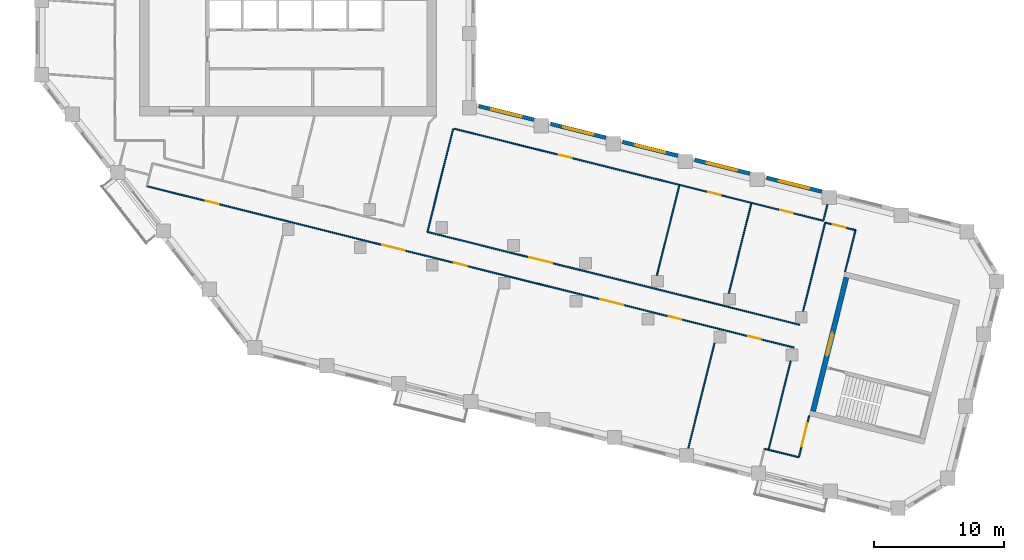
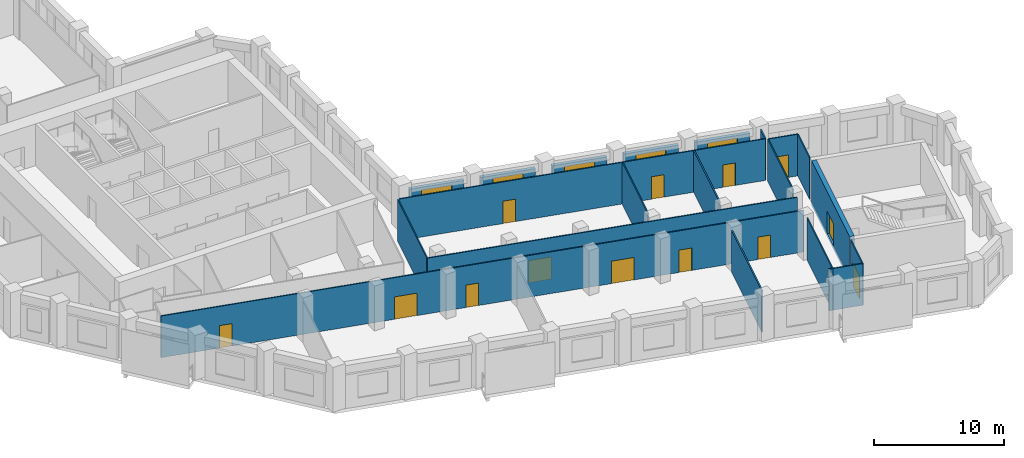
# One storey, part 4 of 10: 21 walls, 13 doors, 5 windows, 18 openings.
"""IFC4 building model written with IfcOpenShell, lengths in metres."""

import ifcopenshell
import ifcopenshell.guid

model = None  # the IFC model being written
_history = None  # IfcOwnerHistory: only IFC2X3 demands one
_inside = {}  # id of a spatial element -> (the spatial element, [elements in it])
_under = {}  # id of a project, library or spatial element -> (it, [spatial elements below it])
_declared = {}  # id of a project -> (the project, [libraries it declares])
_typed = {}  # id of a type object -> (the type object, [elements of that type])
_made_of = {}  # id of a material, layer set ... -> (it, [elements and type objects made of it])


def new_model(schema):
    """Start an empty IFC model of exactly this schema.

    Asked for "IFC4X3", IfcOpenShell would pick the latest addendum, in which some entities
    have other attributes; the version numbers below select the first issue.
    IFC2X3 requires an IfcOwnerHistory on every rooted entity: one is made here for all.
    """
    global model, _history
    if schema == "IFC4X3":
        model = ifcopenshell.file(schema_version=(4, 3, 0, 0))
    else:
        model = ifcopenshell.file(schema=schema)
    _inside.clear()
    _under.clear()
    _declared.clear()
    _typed.clear()
    _made_of.clear()
    _history = None
    if model.schema == "IFC2X3":
        org = make("IfcOrganization", Name="unknown")
        user = make(
            "IfcPersonAndOrganization",
            ThePerson=make("IfcPerson", FamilyName="unknown"),
            TheOrganization=org,
        )
        app = make(
            "IfcApplication",
            ApplicationDeveloper=org,
            Version="unknown",
            ApplicationFullName="unknown",
            ApplicationIdentifier="unknown",
        )
        _history = make(
            "IfcOwnerHistory",
            OwningUser=user,
            OwningApplication=app,
            ChangeAction="ADDED",
            CreationDate=0,
        )
    return model


def make(cls, **values):
    """One entity of the class cls with the attributes given. An attribute that is None is left unset."""
    return model.create_entity(
        cls, **{name: value for name, value in values.items() if value is not None}
    )


def rooted(cls, **values):
    """An entity with a GlobalId (a new one), such as an element, a storey or a relation."""
    return make(cls, GlobalId=ifcopenshell.guid.new(), OwnerHistory=_history, **values)


def si_unit(unit_type, name, prefix=None):
    """IfcSIUnit, for example si_unit("LENGTHUNIT", "METRE", prefix="MILLI")."""
    return make("IfcSIUnit", UnitType=unit_type, Prefix=prefix, Name=name)


def assignment(units):
    """IfcUnitAssignment: the units of a project."""
    return None if units is None else make("IfcUnitAssignment", Units=units)


def point(xyz):
    """IfcCartesianPoint."""
    return None if xyz is None else make("IfcCartesianPoint", Coordinates=xyz)


def direction(xyz):
    """IfcDirection."""
    return None if xyz is None else make("IfcDirection", DirectionRatios=xyz)


def frame(location, z_axis=None, x_axis=None):
    """IfcAxis2Placement3D, a coordinate frame: its origin and axes. An axis left out is left unset."""
    return make(
        "IfcAxis2Placement3D",
        Location=point(location),
        Axis=direction(z_axis),
        RefDirection=direction(x_axis),
    )


def frame_2d(location, x_axis=None):
    """IfcAxis2Placement2D, a coordinate frame in the plane: its origin and x axis."""
    return make(
        "IfcAxis2Placement2D", Location=point(location), RefDirection=direction(x_axis)
    )


def origin():
    """The frame at (0, 0, 0) with its axes left unset."""
    return frame((0.0, 0.0, 0.0))


def place(relative_to, where):
    """IfcLocalPlacement: puts the frame where relative to a parent placement (None: the world)."""
    return make(
        "IfcLocalPlacement", PlacementRelTo=relative_to, RelativePlacement=where
    )


def context(
    kind, dimensions, precision=None, world=None, true_north=None, identifier=None
):
    """IfcGeometricRepresentationContext, for example the 3D "Model" context."""
    return make(
        "IfcGeometricRepresentationContext",
        ContextIdentifier=identifier,
        ContextType=kind,
        CoordinateSpaceDimension=dimensions,
        Precision=precision,
        WorldCoordinateSystem=world,
        TrueNorth=true_north,
    )


def subcontext(parent, identifier, kind, view, scale=None):
    """IfcGeometricRepresentationSubContext, for example "Body" below "Model"."""
    return make(
        "IfcGeometricRepresentationSubContext",
        ContextIdentifier=identifier,
        ContextType=kind,
        ParentContext=parent,
        TargetScale=scale,
        TargetView=view,
    )


def project(units=None, contexts=None):
    """IfcProject with its units and contexts."""
    return rooted(
        "IfcProject",
        Name="project",
        RepresentationContexts=contexts,
        UnitsInContext=assignment(units),
    )


def spatial(cls, under=None, at=None, **own):
    """A site, building, storey or space (cls), placed at a placement, below another one or the project."""
    s = rooted(cls, ObjectPlacement=at, **own)
    if under is not None:
        _under.setdefault(under.id(), (under, []))[1].append(s)
    return s


def profile(cls, at=None, kind="AREA", **sizes):
    """A parametric profile (cls). Its sizes go by their IFC names, for example OverallWidth=200.0."""
    return make(cls, ProfileType=kind, Position=at, **sizes)


def rectangle(**sizes):
    """IfcRectangleProfileDef."""
    return profile("IfcRectangleProfileDef", **sizes)


def extrude(swept, where, along, depth):
    """IfcExtrudedAreaSolid: the profile swept, set in the frame where, extruded along a direction by depth."""
    return make(
        "IfcExtrudedAreaSolid",
        SweptArea=swept,
        Position=where,
        ExtrudedDirection=direction(along),
        Depth=depth,
    )


def shape(context_of_items, identifier, shape_type, items):
    """IfcShapeRepresentation: the items that make up one representation, for example the "Body"."""
    return make(
        "IfcShapeRepresentation",
        ContextOfItems=context_of_items,
        RepresentationIdentifier=identifier,
        RepresentationType=shape_type,
        Items=items,
    )


def material(Name=None, Category=None):
    """IfcMaterial."""
    return make("IfcMaterial", Name=Name, Category=Category)


def layer(
    of_material, thickness, ventilated=None, Name=None, Category=None, Priority=None
):
    """IfcMaterialLayer: one layer of a wall or slab, of a material (None: an air gap)."""
    return make(
        "IfcMaterialLayer",
        Material=of_material,
        LayerThickness=thickness,
        IsVentilated=ventilated,
        Name=Name,
        Category=Category,
        Priority=Priority,
    )


def layer_set(layers, Name=None):
    """IfcMaterialLayerSet."""
    return make("IfcMaterialLayerSet", MaterialLayers=layers, LayerSetName=Name)


def made_of(thing, what):
    """Note that an element or type object is made of a material, layer set ...; save() writes the relation."""
    if what is not None:
        _made_of.setdefault(what.id(), (what, []))[1].append(thing)
    return thing


def type_object(cls, material=None, **own):
    """A type object (cls), such as IfcWallType, which elements share."""
    return made_of(rooted(cls, **own), material)


def element(
    cls,
    number,
    at=None,
    inside=None,
    cuts=None,
    type_object=None,
    material=None,
    context=None,
    identifier="Body",
    shape_type=None,
    held_by="IfcProductDefinitionShape",
    body=None,
    shapes=None,
    **own,
):
    """One element of the class cls, such as IfcWall. Its Tag is "e" and its number.

    at: its placement. inside: the storey or other place that contains it. cuts: it is an
    opening in that element (IfcRelVoidsElement). A single representation is given by context,
    identifier, shape_type and body (its items); several are given by shapes. held_by: the class
    of the entity that holds the representations. save() writes the other relations.
    """
    e = rooted(cls, Tag="e%d" % number, ObjectPlacement=at, **own)
    if body is not None:
        shapes = [shape(context, identifier, shape_type, body)]
    if shapes is not None:
        e.Representation = make(held_by, Representations=shapes)
    if inside is not None:
        _inside.setdefault(inside.id(), (inside, []))[1].append(e)
    if cuts is not None:
        rooted(
            "IfcRelVoidsElement", RelatingBuildingElement=cuts, RelatedOpeningElement=e
        )
    if type_object is not None:
        _typed.setdefault(type_object.id(), (type_object, []))[1].append(e)
    return made_of(e, material)


def fill(opening, filler):
    """IfcRelFillsElement: the door or window that sits in an opening."""
    return rooted(
        "IfcRelFillsElement",
        RelatingOpeningElement=opening,
        RelatedBuildingElement=filler,
    )


def aggregate(whole, parts):
    """IfcRelAggregates: a whole, such as a stair, and the parts it consists of."""
    return rooted("IfcRelAggregates", RelatingObject=whole, RelatedObjects=parts)


def save(model, path):
    """Write the relations noted so far, then the file.

    IfcRelAggregates (storeys below a building ...), IfcRelContainedInSpatialStructure (elements
    in a storey), IfcRelDefinesByType, IfcRelAssociatesMaterial and IfcRelDeclares: one each for
    every whole, place, type object, material and project.
    """
    for whole, parts in _under.values():
        aggregate(whole, parts)
    for where, things in _inside.values():
        rooted(
            "IfcRelContainedInSpatialStructure",
            RelatedElements=things,
            RelatingStructure=where,
        )
    for kind, things in _typed.values():
        rooted("IfcRelDefinesByType", RelatedObjects=things, RelatingType=kind)
    for what, things in _made_of.values():
        rooted("IfcRelAssociatesMaterial", RelatedObjects=things, RelatingMaterial=what)
    for by, libraries in _declared.values():
        rooted("IfcRelDeclares", RelatingContext=by, RelatedDefinitions=libraries)
    model.write(path)


model = new_model("IFC4")

# Units and contexts
model_context = context("Model", 3, precision=1e-05, world=origin(), true_north=direction((0.0, 1.0)))
body_context = subcontext(model_context, "Body", "Model", "MODEL_VIEW")
ifc_project = project(units=[si_unit("LENGTHUNIT", "METRE"), si_unit("AREAUNIT", "SQUARE_METRE"), si_unit("VOLUMEUNIT", "CUBIC_METRE"), si_unit("PLANEANGLEUNIT", "RADIAN"), si_unit("MASSUNIT", "GRAM", prefix="KILO")], contexts=[model_context])

# Site, building, storey
site_placement = place(None, origin())
site = spatial("IfcSite", under=ifc_project, at=site_placement, CompositionType="ELEMENT")
building_placement = place(site_placement, origin())
building = spatial("IfcBuilding", under=site, at=building_placement, Name="Meshkara Civic Tower", CompositionType="ELEMENT")
storey_placement = place(building_placement, frame((0.0, 0.0, 271.800048828125)))
storey = spatial("IfcBuildingStorey", under=building, at=storey_placement, Name="L62", CompositionType="ELEMENT", Elevation=271.800048828125)

# Wall, openings, doors
ifc_material_1 = material(Name="Corridor wall 100")
ifc_layer_1 = layer(ifc_material_1, 0.10009765625)
ifc_layer_set_1 = layer_set([ifc_layer_1], Name="Corridor wall 100")
wall_type_1 = type_object("IfcWallType", Name="Corridor wall 100", PredefinedType="PARTITIONING", material=ifc_layer_set_1)
wall_1_placement = place(storey_placement, frame((8.550048828125, 8.68505859375, 0.0), z_axis=(0.0, 0.0, 1.0), x_axis=(0.970298026101, -0.241912671319, 0.0)))
wall_1 = element("IfcWall", 1, at=wall_1_placement, inside=storey, type_object=wall_type_1, Name="L62-W006", PredefinedType="PARTITIONING", context=body_context, shape_type="SweptSolid", body=[
    extrude(rectangle(XDim=51.27490234375, YDim=0.10009765625, at=frame_2d((25.637451171875, 0.0))), origin(), (0.0, 0.0, 1.0), 3.89990234375),
])
opening_1_placement = place(wall_1_placement, frame((35.93994140625, 0.0, 0.0)))
opening_1 = element("IfcOpeningElement", 2, at=opening_1_placement, cuts=wall_1, Name="Opening L62-D002", PredefinedType="OPENING", context=body_context, shape_type="SweptSolid", body=[
    extrude(rectangle(XDim=1.800048828125, YDim=2.10009765625, at=frame_2d((0.89990234375, 1.050048828125))), frame((0.0, 0.06005859375, 0.0), z_axis=(0.0, -1.0, 0.0), x_axis=(1.0, 0.0, 0.0)), (0.0, 0.0, 1.0), 0.1201171875),
])
opening_2_placement = place(wall_1_placement, frame((41.340087890625, 0.0, 0.0)))
opening_2 = element("IfcOpeningElement", 3, at=opening_2_placement, cuts=wall_1, Name="Opening L62-D003", PredefinedType="OPENING", context=body_context, shape_type="SweptSolid", body=[
    extrude(rectangle(XDim=1.0, YDim=2.10009765625, at=frame_2d((0.5, 1.050048828125))), frame((0.0, 0.06005859375, 0.0), z_axis=(0.0, -1.0, 0.0), x_axis=(1.0, 0.0, 0.0)), (0.0, 0.0, 1.0), 0.1201171875),
])
opening_3_placement = place(wall_1_placement, frame((47.639892578125, 0.0, 0.0)))
opening_3 = element("IfcOpeningElement", 4, at=opening_3_placement, cuts=wall_1, Name="Opening L62-D004", PredefinedType="OPENING", context=body_context, shape_type="SweptSolid", body=[
    extrude(rectangle(XDim=1.0, YDim=2.10009765625, at=frame_2d((0.5, 1.050048828125))), frame((0.0, 0.06005859375, 0.0), z_axis=(0.0, -1.0, 0.0), x_axis=(1.0, 0.0, 0.0)), (0.0, 0.0, 1.0), 0.1201171875),
])
opening_4_placement = place(wall_1_placement, frame((18.638916015625, 0.0, 0.0)))
opening_4 = element("IfcOpeningElement", 5, at=opening_4_placement, cuts=wall_1, Name="Opening L62-D006", PredefinedType="OPENING", context=body_context, shape_type="SweptSolid", body=[
    extrude(rectangle(XDim=1.800048828125, YDim=2.10009765625, at=frame_2d((0.89990234375, 1.050048828125))), frame((0.0, 0.06005859375, 0.0), z_axis=(0.0, -1.0, 0.0), x_axis=(1.0, 0.0, 0.0)), (0.0, 0.0, 1.0), 0.1201171875),
])
opening_5_placement = place(wall_1_placement, frame((24.339111328125, 0.0, 0.0)))
opening_5 = element("IfcOpeningElement", 6, at=opening_5_placement, cuts=wall_1, Name="Opening L62-D007", PredefinedType="OPENING", context=body_context, shape_type="SweptSolid", body=[
    extrude(rectangle(XDim=1.0, YDim=2.10009765625, at=frame_2d((0.5, 1.050048828125))), frame((0.0, 0.06005859375, 0.0), z_axis=(0.0, -1.0, 0.0), x_axis=(1.0, 0.0, 0.0)), (0.0, 0.0, 1.0), 0.1201171875),
])
opening_6_placement = place(wall_1_placement, frame((4.679931640625, 0.0, 0.0)))
opening_6 = element("IfcOpeningElement", 7, at=opening_6_placement, cuts=wall_1, Name="Opening L62-D010", PredefinedType="OPENING", context=body_context, shape_type="SweptSolid", body=[
    extrude(rectangle(XDim=1.0, YDim=2.10009765625, at=frame_2d((0.5, 1.050048828125))), frame((0.0, 0.06005859375, 0.0), z_axis=(0.0, -1.0, 0.0), x_axis=(1.0, 0.0, 0.0)), (0.0, 0.0, 1.0), 0.1201171875),
])
ifc_material_2 = material(Name="Door 1000 x 2100")
door_type_1 = type_object("IfcDoorType", Name="Door 1000 x 2100", OperationType="SINGLE_SWING_LEFT", PredefinedType="DOOR", material=ifc_material_2)
door_1_placement = place(opening_2_placement, origin())
door_1 = element("IfcDoor", 8, at=door_1_placement, inside=storey, type_object=door_type_1, Name="L62-D003", OperationType="SINGLE_SWING_LEFT", OverallHeight=2.10009765625, OverallWidth=1.0, PredefinedType="DOOR", context=body_context, shape_type="SweptSolid", body=[
    extrude(rectangle(XDim=1.0, YDim=2.10009765625, at=frame_2d((0.5, 1.050048828125))), frame((0.0, 0.02490234375, 0.0), z_axis=(0.0, -1.0, 0.0), x_axis=(1.0, 0.0, 0.0)), (0.0, 0.0, 1.0), 0.050048828125),
])
fill(opening_2, door_1)
door_2_placement = place(opening_3_placement, origin())
door_2 = element("IfcDoor", 9, at=door_2_placement, inside=storey, type_object=door_type_1, Name="L62-D004", OperationType="SINGLE_SWING_RIGHT", OverallHeight=2.10009765625, OverallWidth=1.0, PredefinedType="DOOR", context=body_context, shape_type="SweptSolid", body=[
    extrude(rectangle(XDim=1.0, YDim=2.10009765625, at=frame_2d((0.5, 1.050048828125))), frame((0.0, 0.02490234375, 0.0), z_axis=(0.0, -1.0, 0.0), x_axis=(1.0, 0.0, 0.0)), (0.0, 0.0, 1.0), 0.050048828125),
])
fill(opening_3, door_2)
door_3_placement = place(opening_5_placement, origin())
door_3 = element("IfcDoor", 10, at=door_3_placement, inside=storey, type_object=door_type_1, Name="L62-D007", OperationType="SINGLE_SWING_LEFT", OverallHeight=2.10009765625, OverallWidth=1.0, PredefinedType="DOOR", context=body_context, shape_type="SweptSolid", body=[
    extrude(rectangle(XDim=1.0, YDim=2.10009765625, at=frame_2d((0.5, 1.050048828125))), frame((0.0, 0.02490234375, 0.0), z_axis=(0.0, -1.0, 0.0), x_axis=(1.0, 0.0, 0.0)), (0.0, 0.0, 1.0), 0.050048828125),
])
fill(opening_5, door_3)
door_4_placement = place(opening_6_placement, origin())
door_4 = element("IfcDoor", 11, at=door_4_placement, inside=storey, type_object=door_type_1, Name="L62-D010", OperationType="SINGLE_SWING_RIGHT", OverallHeight=2.10009765625, OverallWidth=1.0, PredefinedType="DOOR", context=body_context, shape_type="SweptSolid", body=[
    extrude(rectangle(XDim=1.0, YDim=2.10009765625, at=frame_2d((0.5, 1.050048828125))), frame((0.0, 0.02490234375, 0.0), z_axis=(0.0, -1.0, 0.0), x_axis=(1.0, 0.0, 0.0)), (0.0, 0.0, 1.0), 0.050048828125),
])
fill(opening_6, door_4)
ifc_material_3 = material(Name="Door pair 1800 x 2100")
door_type_2 = type_object("IfcDoorType", Name="Door pair 1800 x 2100", OperationType="SINGLE_SWING_LEFT", PredefinedType="DOOR", material=ifc_material_3)
door_5_placement = place(opening_1_placement, origin())
door_5 = element("IfcDoor", 12, at=door_5_placement, inside=storey, type_object=door_type_2, Name="L62-D002", OperationType="DOUBLE_DOOR_SINGLE_SWING", OverallHeight=2.10009765625, OverallWidth=1.800048828125, PredefinedType="DOOR", context=body_context, shape_type="SweptSolid", body=[
    extrude(rectangle(XDim=1.800048828125, YDim=2.10009765625, at=frame_2d((0.89990234375, 1.050048828125))), frame((0.0, 0.02490234375, 0.0), z_axis=(0.0, -1.0, 0.0), x_axis=(1.0, 0.0, 0.0)), (0.0, 0.0, 1.0), 0.050048828125),
])
fill(opening_1, door_5)
door_6_placement = place(opening_4_placement, origin())
door_6 = element("IfcDoor", 13, at=door_6_placement, inside=storey, type_object=door_type_2, Name="L62-D006", OperationType="DOUBLE_DOOR_SINGLE_SWING", OverallHeight=2.10009765625, OverallWidth=1.800048828125, PredefinedType="DOOR", context=body_context, shape_type="SweptSolid", body=[
    extrude(rectangle(XDim=1.800048828125, YDim=2.10009765625, at=frame_2d((0.89990234375, 1.050048828125))), frame((0.0, 0.02490234375, 0.0), z_axis=(0.0, -1.0, 0.0), x_axis=(1.0, 0.0, 0.0)), (0.0, 0.0, 1.0), 0.050048828125),
])
fill(opening_4, door_6)

# Wall, opening, door
wall_2_placement = place(storey_placement, frame((30.1201171875, 5.1708984375, 0.0), z_axis=(0.0, 0.0, 1.0), x_axis=(0.970293732398, -0.241929892467, 0.0)))
wall_2 = element("IfcWall", 14, at=wall_2_placement, inside=storey, type_object=wall_type_1, Name="L62-W021", PredefinedType="PARTITIONING", context=body_context, shape_type="SweptSolid", body=[
    extrude(rectangle(XDim=29.49609375, YDim=0.10009765625, at=frame_2d((14.748046875, 0.0))), origin(), (0.0, 0.0, 1.0), 3.89990234375),
])
opening_7_placement = place(wall_2_placement, frame((8.080078125, 0.0, 0.0)))
opening_7 = element("IfcOpeningElement", 15, at=opening_7_placement, cuts=wall_2, Name="Opening L62-D008", PredefinedType="OPENING", context=body_context, shape_type="SweptSolid", body=[
    extrude(rectangle(XDim=1.800048828125, YDim=2.10009765625, at=frame_2d((0.89990234375, 1.050048828125))), frame((0.0, 0.06005859375, 0.0), z_axis=(0.0, -1.0, 0.0), x_axis=(1.0, 0.0, 0.0)), (0.0, 0.0, 1.0), 0.1201171875),
])
door_7_placement = place(opening_7_placement, origin())
door_7 = element("IfcDoor", 16, at=door_7_placement, inside=storey, type_object=door_type_2, Name="L62-D008", OperationType="DOUBLE_DOOR_SINGLE_SWING", OverallHeight=2.10009765625, OverallWidth=1.800048828125, PredefinedType="DOOR", context=body_context, shape_type="SweptSolid", body=[
    extrude(rectangle(XDim=1.800048828125, YDim=2.10009765625, at=frame_2d((0.89990234375, 1.050048828125))), frame((0.0, 0.02490234375, 0.0), z_axis=(0.0, -1.0, 0.0), x_axis=(1.0, 0.0, 0.0)), (0.0, 0.0, 1.0), 0.050048828125),
])
fill(opening_7, door_7)

# Wall
wall_3_placement = place(storey_placement, frame((30.1201171875, 5.1708984375, 0.0), z_axis=(0.0, 0.0, 1.0), x_axis=(0.241902913229, 0.970300458915, 0.0)))
element("IfcWall", 17, at=wall_3_placement, inside=storey, type_object=wall_type_1, Name="L62-W022", PredefinedType="PARTITIONING", context=body_context, shape_type="SweptSolid", body=[
    extrude(rectangle(XDim=8.171875, YDim=0.10009765625, at=frame_2d((4.0859375, 0.0))), origin(), (0.0, 0.0, 1.0), 3.89990234375),
])

# Wall, openings, doors
wall_4_placement = place(storey_placement, frame((32.196044921875, 13.10009765625, 0.0), z_axis=(0.0, 0.0, 1.0), x_axis=(0.970294627208, -0.241926303678, 0.0)))
wall_4 = element("IfcWall", 18, at=wall_4_placement, inside=storey, type_object=wall_type_1, Name="L62-W026", PredefinedType="PARTITIONING", context=body_context, shape_type="SweptSolid", body=[
    extrude(rectangle(XDim=29.22802734375, YDim=0.10009765625, at=frame_2d((14.614013671875, 0.0))), origin(), (0.0, 0.0, 1.0), 3.89990234375),
])
opening_8_placement = place(wall_4_placement, frame((8.280029296875, 0.0, 0.0)))
opening_8 = element("IfcOpeningElement", 19, at=opening_8_placement, cuts=wall_4, Name="Opening L62-D013", PredefinedType="OPENING", context=body_context, shape_type="SweptSolid", body=[
    extrude(rectangle(XDim=1.0, YDim=2.10009765625, at=frame_2d((0.5, 1.050048828125))), frame((0.0, 0.06005859375, 0.0), z_axis=(0.0, -1.0, 0.0), x_axis=(1.0, 0.0, 0.0)), (0.0, 0.0, 1.0), 0.1201171875),
])
opening_9_placement = place(wall_4_placement, frame((20.10791015625, 0.0, 0.0)))
opening_9 = element("IfcOpeningElement", 20, at=opening_9_placement, cuts=wall_4, Name="Opening L62-D014", PredefinedType="OPENING", context=body_context, shape_type="SweptSolid", body=[
    extrude(rectangle(XDim=1.0, YDim=2.10009765625, at=frame_2d((0.5, 1.050048828125))), frame((0.0, 0.06005859375, 0.0), z_axis=(0.0, -1.0, 0.0), x_axis=(1.0, 0.0, 0.0)), (0.0, 0.0, 1.0), 0.1201171875),
])
opening_10_placement = place(wall_4_placement, frame((25.80810546875, 0.0, 0.0)))
opening_10 = element("IfcOpeningElement", 21, at=opening_10_placement, cuts=wall_4, Name="Opening L62-D015", PredefinedType="OPENING", context=body_context, shape_type="SweptSolid", body=[
    extrude(rectangle(XDim=1.0, YDim=2.10009765625, at=frame_2d((0.5, 1.050048828125))), frame((0.0, 0.06005859375, 0.0), z_axis=(0.0, -1.0, 0.0), x_axis=(1.0, 0.0, 0.0)), (0.0, 0.0, 1.0), 0.1201171875),
])
door_8_placement = place(opening_8_placement, origin())
door_8 = element("IfcDoor", 22, at=door_8_placement, inside=storey, type_object=door_type_1, Name="L62-D013", OperationType="SINGLE_SWING_RIGHT", OverallHeight=2.10009765625, OverallWidth=1.0, PredefinedType="DOOR", context=body_context, shape_type="SweptSolid", body=[
    extrude(rectangle(XDim=1.0, YDim=2.10009765625, at=frame_2d((0.5, 1.050048828125))), frame((0.0, 0.02490234375, 0.0), z_axis=(0.0, -1.0, 0.0), x_axis=(1.0, 0.0, 0.0)), (0.0, 0.0, 1.0), 0.050048828125),
])
fill(opening_8, door_8)
door_9_placement = place(opening_9_placement, origin())
door_9 = element("IfcDoor", 23, at=door_9_placement, inside=storey, type_object=door_type_1, Name="L62-D014", OperationType="SINGLE_SWING_RIGHT", OverallHeight=2.10009765625, OverallWidth=1.0, PredefinedType="DOOR", context=body_context, shape_type="SweptSolid", body=[
    extrude(rectangle(XDim=1.0, YDim=2.10009765625, at=frame_2d((0.5, 1.050048828125))), frame((0.0, 0.02490234375, 0.0), z_axis=(0.0, -1.0, 0.0), x_axis=(1.0, 0.0, 0.0)), (0.0, 0.0, 1.0), 0.050048828125),
])
fill(opening_9, door_9)
door_10_placement = place(opening_10_placement, origin())
door_10 = element("IfcDoor", 24, at=door_10_placement, inside=storey, type_object=door_type_1, Name="L62-D015", OperationType="SINGLE_SWING_RIGHT", OverallHeight=2.10009765625, OverallWidth=1.0, PredefinedType="DOOR", context=body_context, shape_type="SweptSolid", body=[
    extrude(rectangle(XDim=1.0, YDim=2.10009765625, at=frame_2d((0.5, 1.050048828125))), frame((0.0, 0.02490234375, 0.0), z_axis=(0.0, -1.0, 0.0), x_axis=(1.0, 0.0, 0.0)), (0.0, 0.0, 1.0), 0.050048828125),
])
fill(opening_10, door_10)

# Walls
wall_5_placement = place(storey_placement, frame((56.343994140625, -11.574951171875, 0.0), z_axis=(0.0, 0.0, 1.0), x_axis=(0.970333736057, -0.241769395645, 0.0)))
element("IfcWall", 25, at=wall_5_placement, inside=storey, type_object=wall_type_1, Name="L62-W027", PredefinedType="PARTITIONING", context=body_context, shape_type="SweptSolid", body=[
    extrude(rectangle(XDim=2.3994140625, YDim=0.10009765625, at=frame_2d((1.19970703125, 0.0))), origin(), (0.0, 0.0, 1.0), 3.89990234375),
])
wall_6_placement = place(storey_placement, frame((58.047119140625, -4.741943359375, 0.0), z_axis=(0.0, 0.0, 1.0), x_axis=(-0.241882891004, -0.970305450381, 0.0)))
element("IfcWall", 26, at=wall_6_placement, inside=storey, type_object=wall_type_1, Name="L62-W028", PredefinedType="PARTITIONING", context=body_context, shape_type="SweptSolid", body=[
    extrude(rectangle(XDim=7.041015625, YDim=0.10009765625, at=frame_2d((3.5205078125, 0.0))), origin(), (0.0, 0.0, 1.0), 3.89990234375),
])

# Wall, opening, door
wall_7_placement = place(storey_placement, frame((58.672119140625, -12.155029296875, 0.0), z_axis=(0.0, 0.0, 1.0), x_axis=(0.242048225647, 0.970264219922, 0.0)))
wall_7 = element("IfcWall", 27, at=wall_7_placement, inside=storey, type_object=wall_type_1, Name="L62-W029", PredefinedType="PARTITIONING", context=body_context, shape_type="SweptSolid", body=[
    extrude(rectangle(XDim=3.30029296875, YDim=0.10009765625, at=frame_2d((1.650146484375, 0.0))), origin(), (0.0, 0.0, 1.0), 3.89990234375),
])
opening_11_placement = place(wall_7_placement, frame((0.8798828125, 0.0, 0.0)))
opening_11 = element("IfcOpeningElement", 28, at=opening_11_placement, cuts=wall_7, Name="Opening L62-D001", PredefinedType="OPENING", context=body_context, shape_type="SweptSolid", body=[
    extrude(rectangle(XDim=1.800048828125, YDim=2.10009765625, at=frame_2d((0.89990234375, 1.050048828125))), frame((0.0, 0.06005859375, 0.0), z_axis=(0.0, -1.0, 0.0), x_axis=(1.0, 0.0, 0.0)), (0.0, 0.0, 1.0), 0.1201171875),
])
door_11_placement = place(opening_11_placement, origin())
door_11 = element("IfcDoor", 29, at=door_11_placement, inside=storey, type_object=door_type_2, Name="L62-D001", OperationType="DOUBLE_DOOR_SINGLE_SWING", OverallHeight=2.10009765625, OverallWidth=1.800048828125, PredefinedType="DOOR", context=body_context, shape_type="SweptSolid", body=[
    extrude(rectangle(XDim=1.800048828125, YDim=2.10009765625, at=frame_2d((0.89990234375, 1.050048828125))), frame((0.0, 0.02490234375, 0.0), z_axis=(0.0, -1.0, 0.0), x_axis=(1.0, 0.0, 0.0)), (0.0, 0.0, 1.0), 0.050048828125),
])
fill(opening_11, door_11)

# Walls
wall_8_placement = place(storey_placement, frame((60.555908203125, 6.029052734375, 0.0), z_axis=(0.0, 0.0, 1.0), x_axis=(0.24168476558, 0.970354818655, 0.0)))
element("IfcWall", 30, at=wall_8_placement, inside=storey, type_object=wall_type_1, Name="L62-W030", PredefinedType="PARTITIONING", context=body_context, shape_type="SweptSolid", body=[
    extrude(rectangle(XDim=1.282958984375, YDim=0.10009765625, at=frame_2d((0.6416015625, 0.0))), origin(), (0.0, 0.0, 1.0), 3.89990234375),
])
wall_9_placement = place(storey_placement, frame((60.697998046875, 5.89111328125, 0.0), z_axis=(0.0, 0.0, 1.0), x_axis=(-0.241890198624, -0.97030362867, 0.0)))
element("IfcWall", 31, at=wall_9_placement, inside=storey, type_object=wall_type_1, Name="L62-W031", PredefinedType="PARTITIONING", context=body_context, shape_type="SweptSolid", body=[
    extrude(rectangle(XDim=7.03173828125, YDim=0.10009765625, at=frame_2d((3.515869140625, 0.0))), origin(), (0.0, 0.0, 1.0), 3.89990234375),
])
wall_10_placement = place(storey_placement, frame((62.22900390625, 2.10791015625, 0.0), z_axis=(0.0, 0.0, 1.0), x_axis=(0.241839284064, 0.97031631991, 0.0)))
element("IfcWall", 32, at=wall_10_placement, inside=storey, type_object=wall_type_1, Name="L62-W032", PredefinedType="PARTITIONING", context=body_context, shape_type="SweptSolid", body=[
    extrude(rectangle(XDim=3.300048828125, YDim=0.10009765625, at=frame_2d((1.64990234375, 0.0))), origin(), (0.0, 0.0, 1.0), 3.89990234375),
])

# Wall, opening, door
wall_11_placement = place(storey_placement, frame((63.027099609375, 5.31005859375, 0.0), z_axis=(0.0, 0.0, 1.0), x_axis=(-0.970262034576, 0.242056985565, 0.0)))
wall_11 = element("IfcWall", 33, at=wall_11_placement, inside=storey, type_object=wall_type_1, Name="L62-W033", PredefinedType="PARTITIONING", context=body_context, shape_type="SweptSolid", body=[
    extrude(rectangle(XDim=2.400390625, YDim=0.10009765625, at=frame_2d((1.2001953125, 0.0))), origin(), (0.0, 0.0, 1.0), 3.89990234375),
])
opening_12_placement = place(wall_11_placement, frame((0.780029296875, 0.0, 0.0)))
opening_12 = element("IfcOpeningElement", 34, at=opening_12_placement, cuts=wall_11, Name="Opening L62-D009", PredefinedType="OPENING", context=body_context, shape_type="SweptSolid", body=[
    extrude(rectangle(XDim=1.0, YDim=2.10009765625, at=frame_2d((0.5, 1.050048828125))), frame((0.0, 0.06005859375, 0.0), z_axis=(0.0, -1.0, 0.0), x_axis=(1.0, 0.0, 0.0)), (0.0, 0.0, 1.0), 0.1201171875),
])
door_12_placement = place(opening_12_placement, origin())
door_12 = element("IfcDoor", 35, at=door_12_placement, inside=storey, type_object=door_type_1, Name="L62-D009", OperationType="SINGLE_SWING_LEFT", OverallHeight=2.10009765625, OverallWidth=1.0, PredefinedType="DOOR", context=body_context, shape_type="SweptSolid", body=[
    extrude(rectangle(XDim=1.0, YDim=2.10009765625, at=frame_2d((0.5, 1.050048828125))), frame((0.0, 0.02490234375, 0.0), z_axis=(0.0, -1.0, 0.0), x_axis=(1.0, 0.0, 0.0)), (0.0, 0.0, 1.0), 0.050048828125),
])
fill(opening_12, door_12)

# Wall, opening, window
ifc_material_4 = material(Name="Insulated infill panel with bronze anodised aluminium cladding", Category="aluminium")
ifc_layer_2 = layer(ifc_material_4, 0.300048828125)
ifc_layer_set_2 = layer_set([ifc_layer_2], Name="EXTERNAL INFILL WALL 300")
wall_type_2 = type_object("IfcWallType", Name="EXTERNAL INFILL WALL 300", PredefinedType="SOLIDWALL", material=ifc_layer_set_2)
wall_12_placement = place(storey_placement, frame((60.428955078125, 8.277099609375, 0.0), z_axis=(0.0, 0.0, 1.0), x_axis=(-0.97030676369, 0.241877622649, 0.0)))
wall_12 = element("IfcWall", 36, at=wall_12_placement, inside=storey, type_object=wall_type_2, Name="External wall", PredefinedType="SOLIDWALL", context=body_context, shape_type="SweptSolid", body=[
    extrude(rectangle(XDim=4.365478515625, YDim=0.300048828125, at=frame_2d((2.1826171875, 0.0))), origin(), (0.0, 0.0, 1.0), 3.14990234375),
])
opening_13_placement = place(wall_12_placement, frame((0.98291015625, 0.0, 0.800048828125)))
opening_13 = element("IfcOpeningElement", 37, at=opening_13_placement, cuts=wall_12, Name="Opening W7", PredefinedType="OPENING", context=body_context, shape_type="SweptSolid", body=[
    extrude(rectangle(XDim=2.39990234375, YDim=2.10009765625, at=frame_2d((1.199951171875, 1.050048828125))), frame((0.0, 0.159912109375, 0.0), z_axis=(0.0, -1.0, 0.0), x_axis=(1.0, 0.0, 0.0)), (0.0, 0.0, 1.0), 0.320068359375),
])
ifc_material_5 = material(Name="Tinted double glazing", Category="glass")
window_type = type_object("IfcWindowType", Name="WINDOW 2400x2100", PartitioningType="DOUBLE_PANEL_VERTICAL", PredefinedType="WINDOW", material=ifc_material_5)
window_1_placement = place(opening_13_placement, origin())
window_1 = element("IfcWindow", 38, at=window_1_placement, inside=storey, type_object=window_type, Name="Window", OverallHeight=2.10009765625, OverallWidth=2.39990234375, PartitioningType="DOUBLE_PANEL_VERTICAL", PredefinedType="WINDOW", context=body_context, shape_type="SweptSolid", body=[
    extrude(rectangle(XDim=2.39990234375, YDim=2.10009765625, at=frame_2d((1.199951171875, 1.050048828125))), frame((0.0, 0.030029296875, 0.0), z_axis=(0.0, -1.0, 0.0), x_axis=(1.0, 0.0, 0.0)), (0.0, 0.0, 1.0), 0.06005859375),
])
fill(opening_13, window_1)

wall_13_placement = place(storey_placement, frame((54.89892578125, 9.656005859375, 0.0), z_axis=(0.0, 0.0, 1.0), x_axis=(-0.970319847058, 0.241825131873, 0.0)))
wall_13 = element("IfcWall", 39, at=wall_13_placement, inside=storey, type_object=wall_type_2, Name="External wall", PredefinedType="SOLIDWALL", context=body_context, shape_type="SweptSolid", body=[
    extrude(rectangle(XDim=4.366455078125, YDim=0.300048828125, at=frame_2d((2.18310546875, 0.0))), origin(), (0.0, 0.0, 1.0), 3.14990234375),
])
opening_14_placement = place(wall_13_placement, frame((0.98291015625, 0.0, 0.800048828125)))
opening_14 = element("IfcOpeningElement", 40, at=opening_14_placement, cuts=wall_13, Name="Opening W7", PredefinedType="OPENING", context=body_context, shape_type="SweptSolid", body=[
    extrude(rectangle(XDim=2.39990234375, YDim=2.10009765625, at=frame_2d((1.199951171875, 1.050048828125))), frame((0.0, 0.159912109375, 0.0), z_axis=(0.0, -1.0, 0.0), x_axis=(1.0, 0.0, 0.0)), (0.0, 0.0, 1.0), 0.320068359375),
])
window_2_placement = place(opening_14_placement, origin())
window_2 = element("IfcWindow", 41, at=window_2_placement, inside=storey, type_object=window_type, Name="Window", OverallHeight=2.10009765625, OverallWidth=2.39990234375, PartitioningType="DOUBLE_PANEL_VERTICAL", PredefinedType="WINDOW", context=body_context, shape_type="SweptSolid", body=[
    extrude(rectangle(XDim=2.39990234375, YDim=2.10009765625, at=frame_2d((1.199951171875, 1.050048828125))), frame((0.0, 0.030029296875, 0.0), z_axis=(0.0, -1.0, 0.0), x_axis=(1.0, 0.0, 0.0)), (0.0, 0.0, 1.0), 0.06005859375),
])
fill(opening_14, window_2)

wall_14_placement = place(storey_placement, frame((49.367919921875, 11.034912109375, 0.0), z_axis=(0.0, 0.0, 1.0), x_axis=(-0.970306725873, 0.241877774353, 0.0)))
wall_14 = element("IfcWall", 42, at=wall_14_placement, inside=storey, type_object=wall_type_2, Name="External wall", PredefinedType="SOLIDWALL", context=body_context, shape_type="SweptSolid", body=[
    extrude(rectangle(XDim=4.366455078125, YDim=0.300048828125, at=frame_2d((2.18310546875, 0.0))), origin(), (0.0, 0.0, 1.0), 3.14990234375),
])
opening_15_placement = place(wall_14_placement, frame((0.98291015625, 0.0, 0.800048828125)))
opening_15 = element("IfcOpeningElement", 43, at=opening_15_placement, cuts=wall_14, Name="Opening W7", PredefinedType="OPENING", context=body_context, shape_type="SweptSolid", body=[
    extrude(rectangle(XDim=2.39990234375, YDim=2.10009765625, at=frame_2d((1.199951171875, 1.050048828125))), frame((0.0, 0.159912109375, 0.0), z_axis=(0.0, -1.0, 0.0), x_axis=(1.0, 0.0, 0.0)), (0.0, 0.0, 1.0), 0.320068359375),
])
window_3_placement = place(opening_15_placement, origin())
window_3 = element("IfcWindow", 44, at=window_3_placement, inside=storey, type_object=window_type, Name="Window", OverallHeight=2.10009765625, OverallWidth=2.39990234375, PartitioningType="DOUBLE_PANEL_VERTICAL", PredefinedType="WINDOW", context=body_context, shape_type="SweptSolid", body=[
    extrude(rectangle(XDim=2.39990234375, YDim=2.10009765625, at=frame_2d((1.199951171875, 1.050048828125))), frame((0.0, 0.030029296875, 0.0), z_axis=(0.0, -1.0, 0.0), x_axis=(1.0, 0.0, 0.0)), (0.0, 0.0, 1.0), 0.06005859375),
])
fill(opening_15, window_3)

wall_15_placement = place(storey_placement, frame((43.8369140625, 12.4140625, 0.0), z_axis=(0.0, 0.0, 1.0), x_axis=(-0.97030676369, 0.241877622649, 0.0)))
wall_15 = element("IfcWall", 45, at=wall_15_placement, inside=storey, type_object=wall_type_2, Name="External wall", PredefinedType="SOLIDWALL", context=body_context, shape_type="SweptSolid", body=[
    extrude(rectangle(XDim=4.365478515625, YDim=0.300048828125, at=frame_2d((2.1826171875, 0.0))), origin(), (0.0, 0.0, 1.0), 3.14990234375),
])
opening_16_placement = place(wall_15_placement, frame((0.98291015625, 0.0, 0.800048828125)))
opening_16 = element("IfcOpeningElement", 46, at=opening_16_placement, cuts=wall_15, Name="Opening W7", PredefinedType="OPENING", context=body_context, shape_type="SweptSolid", body=[
    extrude(rectangle(XDim=2.39990234375, YDim=2.10009765625, at=frame_2d((1.199951171875, 1.050048828125))), frame((0.0, 0.159912109375, 0.0), z_axis=(0.0, -1.0, 0.0), x_axis=(1.0, 0.0, 0.0)), (0.0, 0.0, 1.0), 0.320068359375),
])
window_4_placement = place(opening_16_placement, origin())
window_4 = element("IfcWindow", 47, at=window_4_placement, inside=storey, type_object=window_type, Name="Window", OverallHeight=2.10009765625, OverallWidth=2.39990234375, PartitioningType="DOUBLE_PANEL_VERTICAL", PredefinedType="WINDOW", context=body_context, shape_type="SweptSolid", body=[
    extrude(rectangle(XDim=2.39990234375, YDim=2.10009765625, at=frame_2d((1.199951171875, 1.050048828125))), frame((0.0, 0.030029296875, 0.0), z_axis=(0.0, -1.0, 0.0), x_axis=(1.0, 0.0, 0.0)), (0.0, 0.0, 1.0), 0.06005859375),
])
fill(opening_16, window_4)

wall_16_placement = place(storey_placement, frame((38.306884765625, 13.79296875, 0.0), z_axis=(0.0, 0.0, 1.0), x_axis=(-0.970306725873, 0.241877774353, 0.0)))
wall_16 = element("IfcWall", 48, at=wall_16_placement, inside=storey, type_object=wall_type_2, Name="External wall", PredefinedType="SOLIDWALL", context=body_context, shape_type="SweptSolid", body=[
    extrude(rectangle(XDim=4.366455078125, YDim=0.300048828125, at=frame_2d((2.18310546875, 0.0))), origin(), (0.0, 0.0, 1.0), 3.14990234375),
])
opening_17_placement = place(wall_16_placement, frame((0.98291015625, 0.0, 0.800048828125)))
opening_17 = element("IfcOpeningElement", 49, at=opening_17_placement, cuts=wall_16, Name="Opening W7", PredefinedType="OPENING", context=body_context, shape_type="SweptSolid", body=[
    extrude(rectangle(XDim=2.39990234375, YDim=2.10009765625, at=frame_2d((1.199951171875, 1.050048828125))), frame((0.0, 0.159912109375, 0.0), z_axis=(0.0, -1.0, 0.0), x_axis=(1.0, 0.0, 0.0)), (0.0, 0.0, 1.0), 0.320068359375),
])
window_5_placement = place(opening_17_placement, origin())
window_5 = element("IfcWindow", 50, at=window_5_placement, inside=storey, type_object=window_type, Name="Window", OverallHeight=2.10009765625, OverallWidth=2.39990234375, PartitioningType="DOUBLE_PANEL_VERTICAL", PredefinedType="WINDOW", context=body_context, shape_type="SweptSolid", body=[
    extrude(rectangle(XDim=2.39990234375, YDim=2.10009765625, at=frame_2d((1.199951171875, 1.050048828125))), frame((0.0, 0.030029296875, 0.0), z_axis=(0.0, -1.0, 0.0), x_axis=(1.0, 0.0, 0.0)), (0.0, 0.0, 1.0), 0.06005859375),
])
fill(opening_17, window_5)

# Wall, opening, door
ifc_material_6 = material(Name="Concrete C60", Category="concrete")
ifc_layer_3 = layer(ifc_material_6, 0.39990234375)
ifc_layer_set_3 = layer_set([ifc_layer_3], Name="End core ring wall 400 C60")
wall_type_3 = type_object("IfcWallType", Name="End core ring wall 400 C60", PredefinedType="SHEAR", material=ifc_layer_set_3)
wall_17_placement = place(storey_placement, frame((59.760986328125, -8.613037109375, -0.300048828125), z_axis=(0.0, 0.0, 1.0), x_axis=(0.241971982666, 0.970283236795, 0.0)))
wall_17 = element("IfcWall", 51, at=wall_17_placement, inside=storey, type_object=wall_type_3, Name="L62-C029", PredefinedType="SHEAR", context=body_context, shape_type="SweptSolid", body=[
    extrude(rectangle(XDim=10.60009765625, YDim=0.39990234375, at=frame_2d((5.300048828125, 0.0))), origin(), (0.0, 0.0, 1.0), 4.199951171875),
])
opening_18_placement = place(wall_17_placement, frame((4.39990234375, 0.0, 0.300048828125)))
opening_18 = element("IfcOpeningElement", 52, at=opening_18_placement, cuts=wall_17, Name="Opening L62-K202", PredefinedType="OPENING", context=body_context, shape_type="SweptSolid", body=[
    extrude(rectangle(XDim=1.800048828125, YDim=2.10009765625, at=frame_2d((0.89990234375, 1.050048828125))), frame((0.0, 0.2099609375, 0.0), z_axis=(0.0, -1.0, 0.0), x_axis=(1.0, 0.0, 0.0)), (0.0, 0.0, 1.0), 0.419921875),
])
ifc_material_7 = material(Name="Fire-rated door leaf in steel frame", Category="steel")
door_type_3 = type_object("IfcDoorType", Name="Core double door 1800 EI 60", OperationType="DOUBLE_DOOR_SINGLE_SWING", PredefinedType="DOOR", material=ifc_material_7)
door_13_placement = place(opening_18_placement, origin())
door_13 = element("IfcDoor", 53, at=door_13_placement, inside=storey, type_object=door_type_3, Name="L62-K202", OperationType="DOUBLE_DOOR_SINGLE_SWING", OverallHeight=2.10009765625, OverallWidth=1.800048828125, PredefinedType="DOOR", context=body_context, shape_type="SweptSolid", body=[
    extrude(rectangle(XDim=1.800048828125, YDim=2.10009765625, at=frame_2d((0.89990234375, 1.050048828125))), frame((0.0, 0.02490234375, 0.0), z_axis=(0.0, -1.0, 0.0), x_axis=(1.0, 0.0, 0.0)), (0.0, 0.0, 1.0), 0.050048828125),
])
fill(opening_18, door_13)

# Walls
ifc_material_8 = material(Name="Partition 100")
ifc_layer_4 = layer(ifc_material_8, 0.10009765625)
ifc_layer_set_4 = layer_set([ifc_layer_4], Name="Partition 100")
wall_type_4 = type_object("IfcWallType", Name="Partition 100", PredefinedType="PARTITIONING", material=ifc_layer_set_4)
wall_18_placement = place(storey_placement, frame((47.759033203125, 1.825927734375, 0.0), z_axis=(0.0, 0.0, 1.0), x_axis=(0.24198725093, 0.970279429024, 0.0)))
element("IfcWall", 54, at=wall_18_placement, inside=storey, type_object=wall_type_4, Name="L62-W047", PredefinedType="PARTITIONING", context=body_context, shape_type="SweptSolid", body=[
    extrude(rectangle(XDim=7.123779296875, YDim=0.10009765625, at=frame_2d((3.56201171875, 0.0))), origin(), (0.0, 0.0, 1.0), 3.89990234375),
])
wall_19_placement = place(storey_placement, frame((50.173095703125, -11.4609375, 0.0), z_axis=(0.0, 0.0, 1.0), x_axis=(0.241922908837, 0.970295473647, 0.0)))
element("IfcWall", 55, at=wall_19_placement, inside=storey, type_object=wall_type_4, Name="L62-W048", PredefinedType="PARTITIONING", context=body_context, shape_type="SweptSolid", body=[
    extrude(rectangle(XDim=8.3447265625, YDim=0.10009765625, at=frame_2d((4.17236328125, 0.0))), origin(), (0.0, 0.0, 1.0), 3.89990234375),
])
wall_20_placement = place(storey_placement, frame((53.2900390625, 0.447021484375, 0.0), z_axis=(0.0, 0.0, 1.0), x_axis=(0.241995297848, 0.970277422091, 0.0)))
element("IfcWall", 56, at=wall_20_placement, inside=storey, type_object=wall_type_4, Name="L62-W049", PredefinedType="PARTITIONING", context=body_context, shape_type="SweptSolid", body=[
    extrude(rectangle(XDim=7.12353515625, YDim=0.10009765625, at=frame_2d((3.561767578125, 0.0))), origin(), (0.0, 0.0, 1.0), 3.89990234375),
])
wall_21_placement = place(storey_placement, frame((56.0380859375, -11.498046875, 0.0), z_axis=(0.0, 0.0, 1.0), x_axis=(0.970551186262, -0.240894987173, 0.0)))
element("IfcWall", 57, at=wall_21_placement, inside=storey, type_object=wall_type_4, Name="L62-W051", PredefinedType="PARTITIONING", context=body_context, shape_type="SweptSolid", body=[
    extrude(rectangle(XDim=0.315185546875, YDim=0.10009765625, at=frame_2d((0.15771484375, 0.0))), origin(), (0.0, 0.0, 1.0), 3.89990234375),
])

save(model, "model.ifc")
